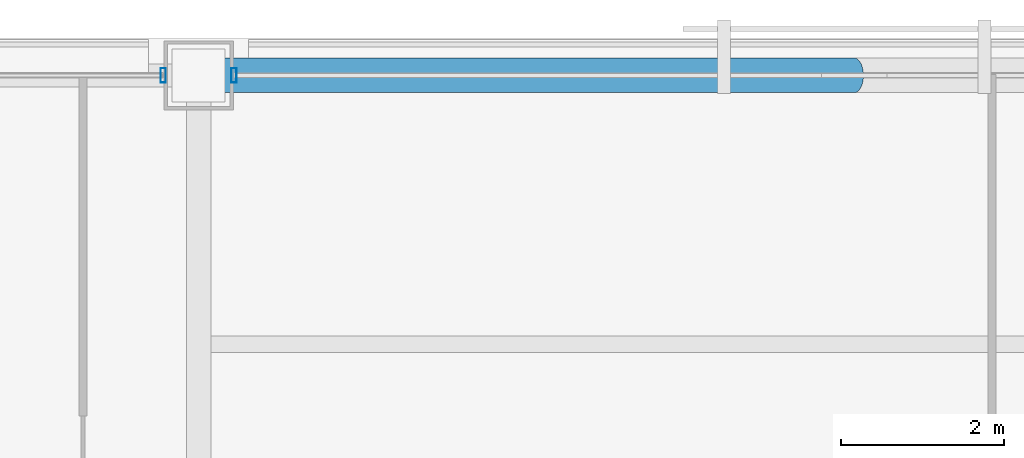
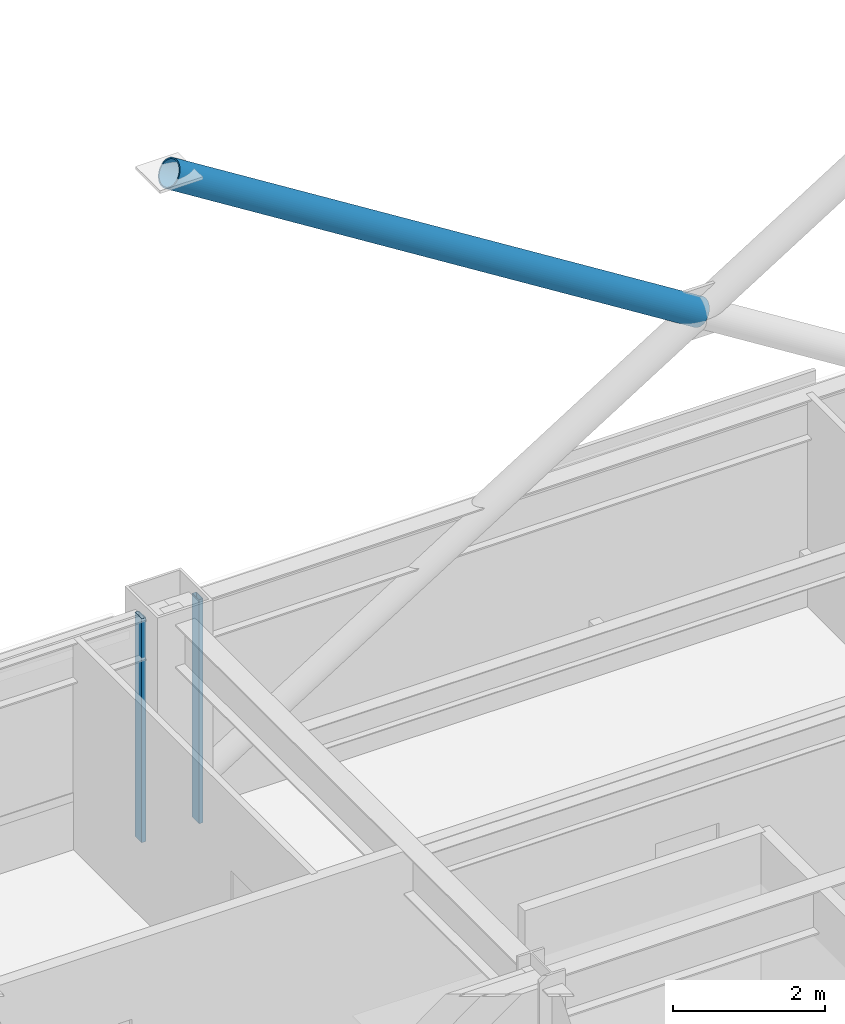
# One storey, part 20 of 32: 3 members, 2 elements without a shape of their own.
"""IFC4 building model written with IfcOpenShell, lengths in metres."""

from ifc_helpers import new_model, si_unit, direction, frame, origin, origin_2d, place, context, subcontext, project, spatial, hollow_rectangle, hollow_circle, extrude, material, layer, layer_set, material_profile, profile_set, type_object, element, aggregate, save


model = new_model("IFC4")

# Units and contexts
model_context = context("Model", 3, precision=1e-05, world=origin(), true_north=direction((0.0, 1.0)))
body_context = subcontext(model_context, "Body", "Model", "MODEL_VIEW")
ifc_project = project(units=[si_unit("LENGTHUNIT", "METRE"), si_unit("AREAUNIT", "SQUARE_METRE"), si_unit("VOLUMEUNIT", "CUBIC_METRE"), si_unit("PLANEANGLEUNIT", "RADIAN"), si_unit("MASSUNIT", "GRAM", prefix="KILO")], contexts=[model_context])

# Site, building, storey
site_placement = place(None, origin())
site = spatial("IfcSite", under=ifc_project, at=site_placement, CompositionType="ELEMENT")
building_placement = place(site_placement, origin())
building = spatial("IfcBuilding", under=site, at=building_placement, Name="Brelmoor Portico Tower", CompositionType="ELEMENT")
storey_placement = place(building_placement, frame((0.0, 0.0, 109.800048828125)))
storey = spatial("IfcBuildingStorey", under=building, at=storey_placement, Name="L28", CompositionType="ELEMENT", Elevation=109.800048828125)

# Member
ifc_material_1 = material(Name="Steel Q355B", Category="steel")
ifc_material_profile_1 = material_profile(ifc_material_1, hollow_circle(Radius=0.212890625, WallThickness=0.02001953125, at=origin_2d()), Name="CHS 426x20")
ifc_profile_set_1 = profile_set([ifc_material_profile_1], Name="Steel Q355B")
member_type_1 = type_object("IfcMemberType", Name="MB-BELT-DIAG1", PredefinedType="BRACE", material=ifc_profile_set_1)
member_1_placement = place(storey_placement, frame((0.0, 19.550048828125, 5.300048828125), z_axis=(-0.847121041358, 0.0, 0.531399982393), x_axis=(0.0, -1.0, 0.0)))
element("IfcMember", 1, at=member_1_placement, inside=storey, type_object=member_type_1, Name="L28 Split Mega-X Brace 059B2", PredefinedType="BRACE", context=body_context, shape_type="SweptSolid", body=[
    extrude(hollow_circle(Radius=0.212890625, WallThickness=0.02001953125, at=origin_2d()), origin(), (0.0, 0.0, 1.0), 9.5029296875),
])

# Curtain wall, member
ifc_material_2 = material(Name="Anodised Aluminium Alloy 6063-T6", Category="aluminium")
ifc_layer_1 = layer(ifc_material_2, 0.179931640625)
ifc_layer_set_1 = layer_set([ifc_layer_1], Name="Anodised Aluminium Alloy 6063-T6")
curtain_wall_type_1 = type_object("IfcCurtainWallType", Name="CW-TOWER-Z2", PredefinedType="NOTDEFINED", material=ifc_layer_set_1)
curtain_wall_1_placement = place(storey_placement, origin())
curtain_wall_1 = element("IfcCurtainWall", 2, at=curtain_wall_1_placement, inside=storey, type_object=curtain_wall_type_1, Name="L28 Curtain Wall CW-L28-02-2", PredefinedType="NOTDEFINED")
ifc_material_profile_2 = material_profile(ifc_material_2, hollow_rectangle(XDim=0.06494140625, YDim=0.179931640625, WallThickness=0.00390625, at=origin_2d()), Name="ALU MULLION 65x180")
ifc_profile_set_2 = profile_set([ifc_material_profile_2], Name="Anodised Aluminium Alloy 6063-T6")
member_type_2 = type_object("IfcMemberType", Name="MB-CW-MULL-180", PredefinedType="MULLION", material=ifc_profile_set_2)
member_2_placement = place(storey_placement, frame((-8.485107421875, 19.550048828125, -0.199951171875), z_axis=(0.0, 0.0, 1.0), x_axis=(1.0, 0.0, 0.0)))
member_2 = element("IfcMember", 3, at=member_2_placement, type_object=member_type_2, Name="CW-L28-02-2 Mullion 01", PredefinedType="MULLION", context=body_context, shape_type="SweptSolid", body=[
    extrude(hollow_rectangle(XDim=0.06494140625, YDim=0.179931640625, WallThickness=0.00390625, at=origin_2d()), origin(), (0.0, 0.0, 1.0), 3.599853515625),
])
aggregate(curtain_wall_1, [member_2])

ifc_layer_2 = layer(ifc_material_2, 0.179931640625)
ifc_layer_set_2 = layer_set([ifc_layer_2], Name="Anodised Aluminium Alloy 6063-T6")
curtain_wall_type_2 = type_object("IfcCurtainWallType", Name="CW-TOWER-Z2-XB", PredefinedType="NOTDEFINED", material=ifc_layer_set_2)
curtain_wall_2_placement = place(storey_placement, origin())
curtain_wall_2 = element("IfcCurtainWall", 4, at=curtain_wall_2_placement, inside=storey, type_object=curtain_wall_type_2, Name="L28 Curtain Wall CW-L28-02-3", PredefinedType="NOTDEFINED")
member_3_placement = place(storey_placement, frame((-7.614990234375, 19.550048828125, -0.199951171875), z_axis=(0.0, 0.0, 1.0), x_axis=(1.0, 0.0, 0.0)))
member_3 = element("IfcMember", 5, at=member_3_placement, type_object=member_type_2, Name="CW-L28-02-3 Mullion 00", PredefinedType="MULLION", context=body_context, shape_type="SweptSolid", body=[
    extrude(hollow_rectangle(XDim=0.06494140625, YDim=0.179931640625, WallThickness=0.00390625, at=origin_2d()), origin(), (0.0, 0.0, 1.0), 3.599853515625),
])
aggregate(curtain_wall_2, [member_3])

save(model, "model.ifc")
